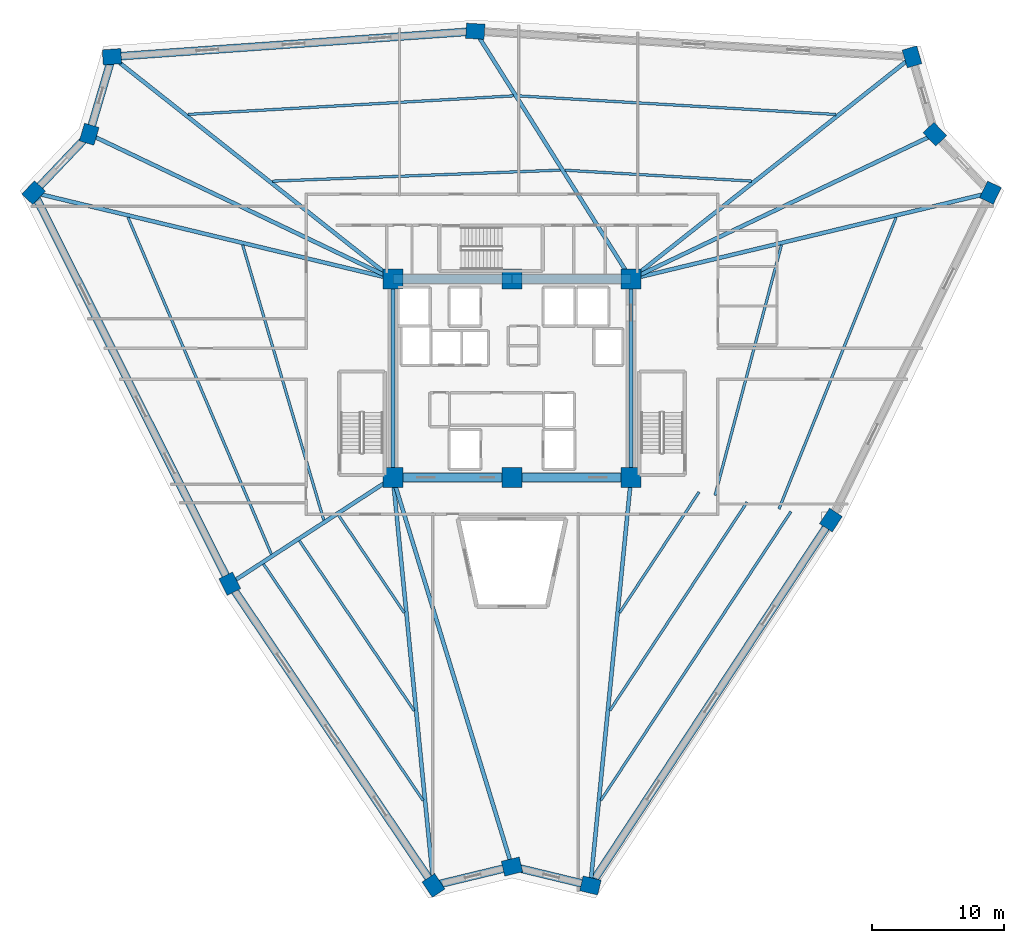
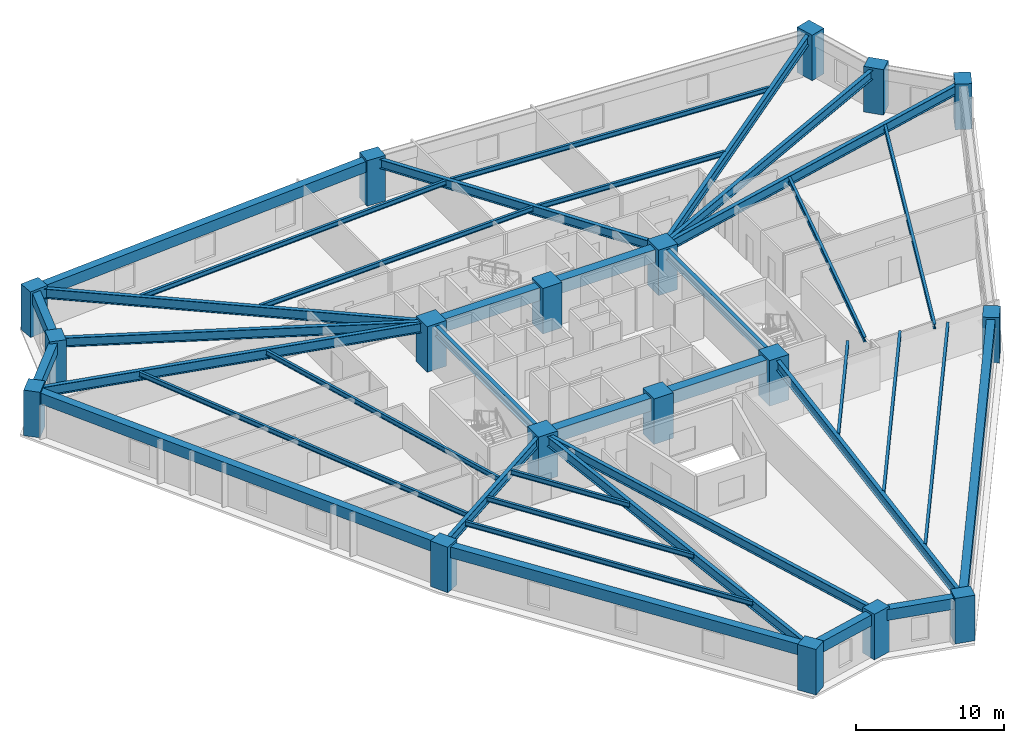
# One storey, part 1 of 10: 39 beams, 18 columns.
"""IFC4 building model written with IfcOpenShell, lengths in metres."""

from ifc_helpers import new_model, si_unit, direction, frame, origin, origin_2d, place, context, subcontext, project, spatial, rectangle, i_section, extrude, source, transform, mapped, material, material_profile, profile_set, type_object, element, save


model = new_model("IFC4")

# Units and contexts
model_context = context("Model", 3, precision=1e-05, world=origin(), true_north=direction((0.0, 1.0)))
body_context = subcontext(model_context, "Body", "Model", "MODEL_VIEW")
ifc_project = project(units=[si_unit("LENGTHUNIT", "METRE"), si_unit("AREAUNIT", "SQUARE_METRE"), si_unit("VOLUMEUNIT", "CUBIC_METRE"), si_unit("PLANEANGLEUNIT", "RADIAN"), si_unit("MASSUNIT", "GRAM", prefix="KILO")], contexts=[model_context])

# Site, building, storey
site_placement = place(None, origin())
site = spatial("IfcSite", under=ifc_project, at=site_placement, CompositionType="ELEMENT")
building_placement = place(site_placement, origin())
building = spatial("IfcBuilding", under=site, at=building_placement, Name="Liaohun Quay Tower", CompositionType="ELEMENT")
storey_placement = place(building_placement, frame((0.0, 0.0, 124.5)))
storey = spatial("IfcBuildingStorey", under=building, at=storey_placement, Name="L32", CompositionType="ELEMENT", Elevation=124.5)

# Columns
ifc_material_1 = material(Name="Concrete C60", Category="concrete")
ifc_material_profile_1 = material_profile(ifc_material_1, rectangle(XDim=1.5, YDim=1.5, at=origin_2d()), Name="RC1500x1500")
ifc_profile_set_1 = profile_set([ifc_material_profile_1], Name="Concrete C60")
column_type_1 = type_object("IfcColumnType", Name="COL-CC-Z2", PredefinedType="COLUMN", material=ifc_profile_set_1)
shared_shape_1 = source(origin(), body_context, "Body", "SweptSolid", [
    extrude(rectangle(XDim=1.5, YDim=1.5, at=origin_2d()), origin(), (0.0, 0.0, 1.0), 3.75),
])
for number, where, z_axis, x_axis, name in (
    (1, (51.0, 46.5, 0.0), (0.0, 0.0, 1.0), (1.0, 0.0, 0.0), "L32 Core Column CC1"),
    (2, (60.0, 46.5, 0.0), (0.0, 0.0, 1.0), (1.0, 0.0, 0.0), "L32 Core Column CC2"),
    (3, (69.0, 46.5, 0.0), (0.0, 0.0, 1.0), (1.0, 0.0, 0.0), "L32 Core Column CC3"),
    (4, (69.0, 61.5, 0.0), (0.0, 0.0, 1.0), (1.0, 0.0, 0.0), "L32 Core Column CC4"),
    (5, (60.0, 61.5, 0.0), (0.0, 0.0, 1.0), (1.0, 0.0, 0.0), "L32 Core Column CC5"),
    (6, (51.0, 61.5, 0.0), (0.0, 0.0, 1.0), (1.0, 0.0, 0.0), "L32 Core Column CC6"),
):
    element("IfcColumn", number, at=place(storey_placement, frame(where, z_axis=z_axis, x_axis=x_axis)), inside=storey, type_object=column_type_1, Name=name, PredefinedType="COLUMN", context=body_context, shape_type="MappedRepresentation", body=[
        mapped(shared_shape_1, transform((0.0, 0.0, 0.0), x_axis=(1.0, 0.0, 0.0), y_axis=(0.0, 1.0, 0.0), z_axis=(0.0, 0.0, 1.0), scale=1.0)),
    ])
ifc_material_profile_2 = material_profile(ifc_material_1, rectangle(XDim=1.39990234375, YDim=1.14990234375, at=origin_2d()), Name="RC1400x1150")
ifc_profile_set_2 = profile_set([ifc_material_profile_2], Name="Concrete C60")
column_type_2 = type_object("IfcColumnType", Name="COL-PIER-Z2", PredefinedType="COLUMN", material=ifc_profile_set_2)
shared_shape_2 = source(origin(), body_context, "Body", "SweptSolid", [
    extrude(rectangle(XDim=1.39990234375, YDim=1.14990234375, at=origin_2d()), origin(), (0.0, 0.0, 1.0), 3.75),
])
for number, where, z_axis, x_axis, name in (
    (7, (54.069091796875, 15.675048828125, 0.0), (0.0, 0.0, 1.0), (-0.559482258102, 0.828842326905, 0.0), "L32 Perimeter Pier PC01"),
    (8, (38.674072265625, 38.485107421875, 0.0), (0.0, 0.0, 1.0), (-0.448539214018, 0.893763152903, 0.0), "L32 Perimeter Pier PC02"),
    (9, (23.84912109375, 68.031982421875, 0.0), (0.0, 0.0, 1.0), (0.68936671806, 0.724412539946, 0.0), "L32 Perimeter Pier PC03"),
    (10, (28.050048828125, 72.447021484375, 0.0), (0.0, 0.0, 1.0), (0.282508884416, 0.959264682049, 0.0), "L32 Perimeter Pier PC04"),
    (11, (29.77490234375, 78.299072265625, 0.0), (0.0, 0.0, 1.0), (0.997539639882, 0.070104685031, 0.0), "L32 Perimeter Pier PC05"),
    (12, (57.22607421875, 80.22607421875, 0.0), (0.0, 0.0, 1.0), (-0.99829120239, 0.058435222518, 0.0), "L32 Perimeter Pier PC06"),
    (13, (90.22802734375, 78.2919921875, 0.0), (0.0, 0.0, 1.0), (-0.282508884416, 0.959264682049, 0.0), "L32 Perimeter Pier PC07"),
    (14, (91.949951171875, 72.447021484375, 0.0), (0.0, 0.0, 1.0), (-0.68936671806, 0.724412539946, 0.0), "L32 Perimeter Pier PC08"),
    (15, (96.156005859375, 68.027099609375, 0.0), (0.0, 0.0, 1.0), (0.438214270959, 0.898870542808, 0.0), "L32 Perimeter Pier PC09"),
    (16, (84.09912109375, 43.2900390625, 0.0), (0.0, 0.0, 1.0), (0.549751988372, 0.835327930385, 0.0), "L32 Perimeter Pier PC10"),
    (17, (65.924072265625, 15.677001953125, 0.0), (0.0, 0.0, 1.0), (-0.972043021443, 0.234802820391, 0.0), "L32 Perimeter Pier PC11"),
    (18, (60.0, 17.10693359375, 0.0), (0.0, 0.0, 1.0), (0.972043021443, 0.234802820391, 0.0), "L32 Perimeter Pier PC12"),
):
    element("IfcColumn", number, at=place(storey_placement, frame(where, z_axis=z_axis, x_axis=x_axis)), inside=storey, type_object=column_type_2, Name=name, PredefinedType="COLUMN", context=body_context, shape_type="MappedRepresentation", body=[
        mapped(shared_shape_2, transform((0.0, 0.0, 0.0), x_axis=(1.0, 0.0, 0.0), y_axis=(0.0, 1.0, 0.0), z_axis=(0.0, 0.0, 1.0), scale=1.0)),
    ])

# Beams
ifc_material_profile_3 = material_profile(ifc_material_1, rectangle(XDim=0.699951171875, YDim=1.050048828125, at=origin_2d()), Name="RC700x1050")
ifc_profile_set_3 = profile_set([ifc_material_profile_3], Name="Concrete C60")
beam_type_1 = type_object("IfcBeamType", Name="BM-CPL-1", PredefinedType="LINTEL", material=ifc_profile_set_3)
shared_shape_3 = source(origin(), body_context, "Body", "SweptSolid", [
    extrude(rectangle(XDim=0.699951171875, YDim=1.050048828125, at=origin_2d()), origin(), (0.0, 0.0, 1.0), 9.0),
])
for number, where, z_axis, x_axis, name in (
    (19, (51.0, 46.5, 3.044921875), (1.0, 0.0, 0.0), (0.0, 1.0, 0.0), "L32 Core Coupling/Ring Beam CC1-CC2"),
    (20, (60.0, 46.5, 3.044921875), (1.0, 0.0, 0.0), (0.0, 1.0, 0.0), "L32 Core Coupling/Ring Beam CC2-CC3"),
    (21, (69.0, 61.5, 3.044921875), (-1.0, 0.0, 0.0), (0.0, -1.0, 0.0), "L32 Core Coupling/Ring Beam CC4-CC5"),
    (22, (60.0, 61.5, 3.044921875), (-1.0, 0.0, 0.0), (0.0, -1.0, 0.0), "L32 Core Coupling/Ring Beam CC5-CC6"),
):
    element("IfcBeam", number, at=place(storey_placement, frame(where, z_axis=z_axis, x_axis=x_axis)), inside=storey, type_object=beam_type_1, Name=name, PredefinedType="LINTEL", context=body_context, shape_type="MappedRepresentation", body=[
        mapped(shared_shape_3, transform((0.0, 0.0, 0.0), x_axis=(1.0, 0.0, 0.0), y_axis=(0.0, 1.0, 0.0), z_axis=(0.0, 0.0, 1.0), scale=1.0)),
    ])
ifc_material_2 = material(Name="Steel Q355D", Category="steel")
ifc_material_profile_4 = material_profile(ifc_material_2, i_section(OverallWidth=0.300048828125, OverallDepth=0.800048828125, WebThickness=0.013916015625, FlangeThickness=0.02587890625, at=origin_2d()), Name="HN800x300x14x26")
ifc_profile_set_4 = profile_set([ifc_material_profile_4], Name="Steel Q355D")
beam_type_2 = type_object("IfcBeamType", Name="BM-RAD-M1", PredefinedType="BEAM", material=ifc_profile_set_4)
shared_shape_4 = source(origin(), body_context, "Body", "SweptSolid", [
    extrude(i_section(OverallWidth=0.300048828125, OverallDepth=0.800048828125, WebThickness=0.013916015625, FlangeThickness=0.02587890625, at=origin_2d()), origin(), (0.0, 0.0, 1.0), 15.0),
])
for number, where, z_axis, x_axis, name in (
    (23, (69.0, 46.5, 3.169921875), (0.0, 1.0, 0.0), (-1.0, 0.0, 0.0), "L32 Core Coupling/Ring Beam CC3-CC4"),
    (24, (51.0, 61.5, 3.169921875), (0.0, -1.0, 0.0), (1.0, 0.0, 0.0), "L32 Core Coupling/Ring Beam CC6-CC1"),
):
    element("IfcBeam", number, at=place(storey_placement, frame(where, z_axis=z_axis, x_axis=x_axis)), inside=storey, type_object=beam_type_2, Name=name, PredefinedType="BEAM", context=body_context, shape_type="MappedRepresentation", body=[
        mapped(shared_shape_4, transform((0.0, 0.0, 0.0), x_axis=(1.0, 0.0, 0.0), y_axis=(0.0, 1.0, 0.0), z_axis=(0.0, 0.0, 1.0), scale=1.0)),
    ])
shared_shape_5 = source(origin(), body_context, "Body", "SweptSolid", [
    extrude(i_section(OverallWidth=0.300048828125, OverallDepth=0.800048828125, WebThickness=0.013916015625, FlangeThickness=0.02587890625, at=origin_2d()), origin(), (0.0, 0.0, 1.0), 30.977294921875),
])
beam_1_placement = place(storey_placement, frame((51.0, 46.5, 3.169921875), z_axis=(0.099075312627, -0.995079937707, 0.0), x_axis=(0.995079937707, 0.099075312627, 0.0)))
element("IfcBeam", 25, at=beam_1_placement, inside=storey, type_object=beam_type_2, Name="L32 Radial Primary Girder CC1-PC01", PredefinedType="BEAM", context=body_context, shape_type="MappedRepresentation", body=[
    mapped(shared_shape_5, transform((0.0, 0.0, 0.0), x_axis=(1.0, 0.0, 0.0), y_axis=(0.0, 1.0, 0.0), z_axis=(0.0, 0.0, 1.0), scale=1.0)),
])
ifc_material_profile_5 = material_profile(ifc_material_2, i_section(OverallWidth=0.300048828125, OverallDepth=0.75, WebThickness=0.013916015625, FlangeThickness=0.02587890625, at=origin_2d()), Name="HN750x300x14x26")
ifc_profile_set_5 = profile_set([ifc_material_profile_5], Name="Steel Q355D")
beam_type_3 = type_object("IfcBeamType", Name="BM-RAD-M2", PredefinedType="BEAM", material=ifc_profile_set_5)
shared_shape_6 = source(origin(), body_context, "Body", "SweptSolid", [
    extrude(i_section(OverallWidth=0.300048828125, OverallDepth=0.75, WebThickness=0.013916015625, FlangeThickness=0.02587890625, at=origin_2d()), origin(), (0.0, 0.0, 1.0), 14.70263671875),
])
beam_2_placement = place(storey_placement, frame((51.0, 46.5, 3.195068359375), z_axis=(-0.838349137648, -0.545133674804, 0.0), x_axis=(0.545133674804, -0.838349137648, 0.0)))
element("IfcBeam", 26, at=beam_2_placement, inside=storey, type_object=beam_type_3, Name="L32 Radial Primary Girder CC1-PC02", PredefinedType="BEAM", context=body_context, shape_type="MappedRepresentation", body=[
    mapped(shared_shape_6, transform((0.0, 0.0, 0.0), x_axis=(1.0, 0.0, 0.0), y_axis=(0.0, 1.0, 0.0), z_axis=(0.0, 0.0, 1.0), scale=1.0)),
])
shared_shape_7 = source(origin(), body_context, "Body", "SweptSolid", [
    extrude(i_section(OverallWidth=0.300048828125, OverallDepth=0.800048828125, WebThickness=0.013916015625, FlangeThickness=0.02587890625, at=origin_2d()), origin(), (0.0, 0.0, 1.0), 27.925537109375),
])
beam_3_placement = place(storey_placement, frame((51.0, 61.5, 3.169921875), z_axis=(-0.972258993003, 0.233906927055, 0.0), x_axis=(-0.233906927055, -0.972258993003, 0.0)))
element("IfcBeam", 27, at=beam_3_placement, inside=storey, type_object=beam_type_2, Name="L32 Radial Primary Girder CC6-PC03", PredefinedType="BEAM", context=body_context, shape_type="MappedRepresentation", body=[
    mapped(shared_shape_7, transform((0.0, 0.0, 0.0), x_axis=(1.0, 0.0, 0.0), y_axis=(0.0, 1.0, 0.0), z_axis=(0.0, 0.0, 1.0), scale=1.0)),
])
shared_shape_8 = source(origin(), body_context, "Body", "SweptSolid", [
    extrude(i_section(OverallWidth=0.300048828125, OverallDepth=0.75, WebThickness=0.013916015625, FlangeThickness=0.02587890625, at=origin_2d()), origin(), (0.0, 0.0, 1.0), 25.427001953125),
])
for number, where, z_axis, x_axis, name in (
    (28, (51.0, 61.5, 3.195068359375), (-0.902578311145, 0.430525716131, 0.0), (-0.430525716131, -0.902578311145, 0.0), "L32 Radial Primary Girder CC6-PC04"),
    (29, (69.0, 61.5, 3.195068359375), (0.902578311145, 0.430525716131, 0.0), (-0.430525716131, 0.902578311145, 0.0), "L32 Radial Primary Girder CC4-PC08"),
):
    element("IfcBeam", number, at=place(storey_placement, frame(where, z_axis=z_axis, x_axis=x_axis)), inside=storey, type_object=beam_type_3, Name=name, PredefinedType="BEAM", context=body_context, shape_type="MappedRepresentation", body=[
        mapped(shared_shape_8, transform((0.0, 0.0, 0.0), x_axis=(1.0, 0.0, 0.0), y_axis=(0.0, 1.0, 0.0), z_axis=(0.0, 0.0, 1.0), scale=1.0)),
    ])
shared_shape_9 = source(origin(), body_context, "Body", "SweptSolid", [
    extrude(i_section(OverallWidth=0.300048828125, OverallDepth=0.800048828125, WebThickness=0.013916015625, FlangeThickness=0.02587890625, at=origin_2d()), origin(), (0.0, 0.0, 1.0), 27.068603515625),
])
beam_4_placement = place(storey_placement, frame((51.0, 61.5, 3.169921875), z_axis=(-0.784120071675, 0.620609146885, 0.0), x_axis=(-0.620609146885, -0.784120071675, 0.0)))
element("IfcBeam", 30, at=beam_4_placement, inside=storey, type_object=beam_type_2, Name="L32 Radial Primary Girder CC6-PC05", PredefinedType="BEAM", context=body_context, shape_type="MappedRepresentation", body=[
    mapped(shared_shape_9, transform((0.0, 0.0, 0.0), x_axis=(1.0, 0.0, 0.0), y_axis=(0.0, 1.0, 0.0), z_axis=(0.0, 0.0, 1.0), scale=1.0)),
])
shared_shape_10 = source(origin(), body_context, "Body", "SweptSolid", [
    extrude(i_section(OverallWidth=0.300048828125, OverallDepth=0.75, WebThickness=0.013916015625, FlangeThickness=0.02587890625, at=origin_2d()), origin(), (0.0, 0.0, 1.0), 22.119873046875),
])
beam_5_placement = place(storey_placement, frame((69.0, 61.5, 3.195068359375), z_axis=(-0.532276875022, 0.846570332765, 0.0), x_axis=(-0.846570332765, -0.532276875022, 0.0)))
element("IfcBeam", 31, at=beam_5_placement, inside=storey, type_object=beam_type_3, Name="L32 Radial Primary Girder CC4-PC06", PredefinedType="BEAM", context=body_context, shape_type="MappedRepresentation", body=[
    mapped(shared_shape_10, transform((0.0, 0.0, 0.0), x_axis=(1.0, 0.0, 0.0), y_axis=(0.0, 1.0, 0.0), z_axis=(0.0, 0.0, 1.0), scale=1.0)),
])
shared_shape_11 = source(origin(), body_context, "Body", "SweptSolid", [
    extrude(i_section(OverallWidth=0.300048828125, OverallDepth=0.800048828125, WebThickness=0.013916015625, FlangeThickness=0.02587890625, at=origin_2d()), origin(), (0.0, 0.0, 1.0), 27.066650390625),
])
beam_6_placement = place(storey_placement, frame((69.0, 61.5, 3.169921875), z_axis=(0.784289025089, 0.620395619846, 0.0), x_axis=(-0.620395619846, 0.784289025089, 0.0)))
element("IfcBeam", 32, at=beam_6_placement, inside=storey, type_object=beam_type_2, Name="L32 Radial Primary Girder CC4-PC07", PredefinedType="BEAM", context=body_context, shape_type="MappedRepresentation", body=[
    mapped(shared_shape_11, transform((0.0, 0.0, 0.0), x_axis=(1.0, 0.0, 0.0), y_axis=(0.0, 1.0, 0.0), z_axis=(0.0, 0.0, 1.0), scale=1.0)),
])
shared_shape_12 = source(origin(), body_context, "Body", "SweptSolid", [
    extrude(i_section(OverallWidth=0.300048828125, OverallDepth=0.800048828125, WebThickness=0.013916015625, FlangeThickness=0.02587890625, at=origin_2d()), origin(), (0.0, 0.0, 1.0), 27.929443359375),
])
beam_7_placement = place(storey_placement, frame((69.0, 61.5, 3.169921875), z_axis=(0.97230877325, 0.233699913269, 0.0), x_axis=(-0.233699913269, 0.97230877325, 0.0)))
element("IfcBeam", 33, at=beam_7_placement, inside=storey, type_object=beam_type_2, Name="L32 Radial Primary Girder CC4-PC09", PredefinedType="BEAM", context=body_context, shape_type="MappedRepresentation", body=[
    mapped(shared_shape_12, transform((0.0, 0.0, 0.0), x_axis=(1.0, 0.0, 0.0), y_axis=(0.0, 1.0, 0.0), z_axis=(0.0, 0.0, 1.0), scale=1.0)),
])
shared_shape_13 = source(origin(), body_context, "Body", "SweptSolid", [
    extrude(i_section(OverallWidth=0.300048828125, OverallDepth=0.800048828125, WebThickness=0.013916015625, FlangeThickness=0.02587890625, at=origin_2d()), origin(), (0.0, 0.0, 1.0), 30.97607421875),
])
beam_8_placement = place(storey_placement, frame((69.0, 46.5, 3.169921875), z_axis=(-0.099300044387, -0.99505753662, 0.0), x_axis=(0.99505753662, -0.099300044387, 0.0)))
element("IfcBeam", 34, at=beam_8_placement, inside=storey, type_object=beam_type_2, Name="L32 Radial Primary Girder CC3-PC11", PredefinedType="BEAM", context=body_context, shape_type="MappedRepresentation", body=[
    mapped(shared_shape_13, transform((0.0, 0.0, 0.0), x_axis=(1.0, 0.0, 0.0), y_axis=(0.0, 1.0, 0.0), z_axis=(0.0, 0.0, 1.0), scale=1.0)),
])
shared_shape_14 = source(origin(), body_context, "Body", "SweptSolid", [
    extrude(i_section(OverallWidth=0.300048828125, OverallDepth=0.75, WebThickness=0.013916015625, FlangeThickness=0.02587890625, at=origin_2d()), origin(), (0.0, 0.0, 1.0), 30.739990234375),
])
beam_9_placement = place(storey_placement, frame((51.0, 46.5, 3.195068359375), z_axis=(0.292777402948, -0.956180627456, 0.0), x_axis=(0.956180627456, 0.292777402948, 0.0)))
element("IfcBeam", 35, at=beam_9_placement, inside=storey, type_object=beam_type_3, Name="L32 Radial Primary Girder CC1-PC12", PredefinedType="BEAM", context=body_context, shape_type="MappedRepresentation", body=[
    mapped(shared_shape_14, transform((0.0, 0.0, 0.0), x_axis=(1.0, 0.0, 0.0), y_axis=(0.0, 1.0, 0.0), z_axis=(0.0, 0.0, 1.0), scale=1.0)),
])
ifc_material_profile_6 = material_profile(ifc_material_2, i_section(OverallWidth=0.199951171875, OverallDepth=0.39990234375, WebThickness=0.008056640625, FlangeThickness=0.012939453125, at=origin_2d()), Name="HN400x200x8x13")
ifc_profile_set_6 = profile_set([ifc_material_profile_6], Name="Steel Q355D")
beam_type_4 = type_object("IfcBeamType", Name="BM-SEC-J2", PredefinedType="JOIST", material=ifc_profile_set_6)
shared_shape_15 = source(origin(), body_context, "Body", "SweptSolid", [
    extrude(i_section(OverallWidth=0.199951171875, OverallDepth=0.39990234375, WebThickness=0.008056640625, FlangeThickness=0.012939453125, at=origin_2d()), origin(), (0.0, 0.0, 1.0), 8.891357421875),
])
beam_10_placement = place(storey_placement, frame((51.866943359375, 36.281005859375, 3.3701171875), z_axis=(-0.559412018003, 0.8288897358, 0.0), x_axis=(-0.8288897358, -0.559412018003, 0.0)))
element("IfcBeam", 36, at=beam_10_placement, inside=storey, type_object=beam_type_4, Name="L32 Wing Secondary Floor Joist SJ-01", PredefinedType="JOIST", context=body_context, shape_type="MappedRepresentation", body=[
    mapped(shared_shape_15, transform((0.0, 0.0, 0.0), x_axis=(1.0, 0.0, 0.0), y_axis=(0.0, 1.0, 0.0), z_axis=(0.0, 0.0, 1.0), scale=1.0)),
])
shared_shape_16 = source(origin(), body_context, "Body", "SweptSolid", [
    extrude(i_section(OverallWidth=0.199951171875, OverallDepth=0.39990234375, WebThickness=0.008056640625, FlangeThickness=0.012939453125, at=origin_2d()), origin(), (0.0, 0.0, 1.0), 15.4951171875),
])
beam_11_placement = place(storey_placement, frame((52.60302734375, 28.883056640625, 3.3701171875), z_axis=(-0.559396271933, 0.828900362497, 0.0), x_axis=(-0.828900362497, -0.559396271933, 0.0)))
element("IfcBeam", 37, at=beam_11_placement, inside=storey, type_object=beam_type_4, Name="L32 Wing Secondary Floor Joist SJ-02", PredefinedType="JOIST", context=body_context, shape_type="MappedRepresentation", body=[
    mapped(shared_shape_16, transform((0.0, 0.0, 0.0), x_axis=(1.0, 0.0, 0.0), y_axis=(0.0, 1.0, 0.0), z_axis=(0.0, 0.0, 1.0), scale=1.0)),
])
shared_shape_17 = source(origin(), body_context, "Body", "SweptSolid", [
    extrude(i_section(OverallWidth=0.199951171875, OverallDepth=0.39990234375, WebThickness=0.008056640625, FlangeThickness=0.012939453125, at=origin_2d()), origin(), (0.0, 0.0, 1.0), 21.549560546875),
])
beam_12_placement = place(storey_placement, frame((53.278076171875, 22.10205078125, 3.3701171875), z_axis=(-0.559418177385, 0.828885578841, 0.0), x_axis=(-0.828885578841, -0.559418177385, 0.0)))
element("IfcBeam", 38, at=beam_12_placement, inside=storey, type_object=beam_type_4, Name="L32 Wing Secondary Floor Joist SJ-03", PredefinedType="JOIST", context=body_context, shape_type="MappedRepresentation", body=[
    mapped(shared_shape_17, transform((0.0, 0.0, 0.0), x_axis=(1.0, 0.0, 0.0), y_axis=(0.0, 1.0, 0.0), z_axis=(0.0, 0.0, 1.0), scale=1.0)),
])
shared_shape_18 = source(origin(), body_context, "Body", "SweptSolid", [
    extrude(i_section(OverallWidth=0.199951171875, OverallDepth=0.39990234375, WebThickness=0.008056640625, FlangeThickness=0.012939453125, at=origin_2d()), origin(), (0.0, 0.0, 1.0), 21.6787109375),
])
beam_13_placement = place(storey_placement, frame((45.779052734375, 43.283935546875, 3.3701171875), z_axis=(-0.282908264634, 0.95914697195, 0.0), x_axis=(-0.95914697195, -0.282908264634, 0.0)))
element("IfcBeam", 39, at=beam_13_placement, inside=storey, type_object=beam_type_4, Name="L32 Wing Secondary Floor Joist SJ-04", PredefinedType="JOIST", context=body_context, shape_type="MappedRepresentation", body=[
    mapped(shared_shape_18, transform((0.0, 0.0, 0.0), x_axis=(1.0, 0.0, 0.0), y_axis=(0.0, 1.0, 0.0), z_axis=(0.0, 0.0, 1.0), scale=1.0)),
])
shared_shape_19 = source(origin(), body_context, "Body", "SweptSolid", [
    extrude(i_section(OverallWidth=0.199951171875, OverallDepth=0.39990234375, WebThickness=0.008056640625, FlangeThickness=0.012939453125, at=origin_2d()), origin(), (0.0, 0.0, 1.0), 27.66455078125),
])
beam_14_placement = place(storey_placement, frame((41.819091796875, 40.708984375, 3.3701171875), z_axis=(-0.39176993437, 0.920063214417, 0.0), x_axis=(-0.920063214417, -0.39176993437, 0.0)))
element("IfcBeam", 40, at=beam_14_placement, inside=storey, type_object=beam_type_4, Name="L32 Wing Secondary Floor Joist SJ-05", PredefinedType="JOIST", context=body_context, shape_type="MappedRepresentation", body=[
    mapped(shared_shape_19, transform((0.0, 0.0, 0.0), x_axis=(1.0, 0.0, 0.0), y_axis=(0.0, 1.0, 0.0), z_axis=(0.0, 0.0, 1.0), scale=1.0)),
])
shared_shape_20 = source(origin(), body_context, "Body", "SweptSolid", [
    extrude(i_section(OverallWidth=0.199951171875, OverallDepth=0.39990234375, WebThickness=0.008056640625, FlangeThickness=0.012939453125, at=origin_2d()), origin(), (0.0, 0.0, 1.0), 21.769775390625),
])
beam_15_placement = place(storey_placement, frame((41.89208984375, 68.89990234375, 3.3701171875), z_axis=(0.999267653916, 0.038264289315, 0.0), x_axis=(-0.038264289315, 0.999267653916, 0.0)))
element("IfcBeam", 41, at=beam_15_placement, inside=storey, type_object=beam_type_4, Name="L32 Wing Secondary Floor Joist SJ-06", PredefinedType="JOIST", context=body_context, shape_type="MappedRepresentation", body=[
    mapped(shared_shape_20, transform((0.0, 0.0, 0.0), x_axis=(1.0, 0.0, 0.0), y_axis=(0.0, 1.0, 0.0), z_axis=(0.0, 0.0, 1.0), scale=1.0)),
])
shared_shape_21 = source(origin(), body_context, "Body", "SweptSolid", [
    extrude(i_section(OverallWidth=0.199951171875, OverallDepth=0.39990234375, WebThickness=0.008056640625, FlangeThickness=0.012939453125, at=origin_2d()), origin(), (0.0, 0.0, 1.0), 24.636962890625),
])
beam_16_placement = place(storey_placement, frame((35.51904296875, 73.944091796875, 3.3701171875), z_axis=(0.998377585387, 0.05694029326, 0.0), x_axis=(-0.05694029326, 0.998377585387, 0.0)))
element("IfcBeam", 42, at=beam_16_placement, inside=storey, type_object=beam_type_4, Name="L32 Wing Secondary Floor Joist SJ-07", PredefinedType="JOIST", context=body_context, shape_type="MappedRepresentation", body=[
    mapped(shared_shape_21, transform((0.0, 0.0, 0.0), x_axis=(1.0, 0.0, 0.0), y_axis=(0.0, 1.0, 0.0), z_axis=(0.0, 0.0, 1.0), scale=1.0)),
])
shared_shape_22 = source(origin(), body_context, "Body", "SweptSolid", [
    extrude(i_section(OverallWidth=0.199951171875, OverallDepth=0.39990234375, WebThickness=0.008056640625, FlangeThickness=0.012939453125, at=origin_2d()), origin(), (0.0, 0.0, 1.0), 14.13623046875),
])
beam_17_placement = place(storey_placement, frame((64.0029296875, 69.72900390625, 3.3701171875), z_axis=(0.998287687401, -0.058495240684, 0.0), x_axis=(0.058495240684, 0.998287687401, 0.0)))
element("IfcBeam", 43, at=beam_17_placement, inside=storey, type_object=beam_type_4, Name="L32 Wing Secondary Floor Joist SJ-08", PredefinedType="JOIST", context=body_context, shape_type="MappedRepresentation", body=[
    mapped(shared_shape_22, transform((0.0, 0.0, 0.0), x_axis=(1.0, 0.0, 0.0), y_axis=(0.0, 1.0, 0.0), z_axis=(0.0, 0.0, 1.0), scale=1.0)),
])
shared_shape_23 = source(origin(), body_context, "Body", "SweptSolid", [
    extrude(i_section(OverallWidth=0.199951171875, OverallDepth=0.39990234375, WebThickness=0.008056640625, FlangeThickness=0.012939453125, at=origin_2d()), origin(), (0.0, 0.0, 1.0), 24.05419921875),
])
beam_18_placement = place(storey_placement, frame((60.470947265625, 75.345947265625, 3.3701171875), z_axis=(0.998287856274, -0.058492358609, 0.0), x_axis=(0.058492358609, 0.998287856274, 0.0)))
element("IfcBeam", 44, at=beam_18_placement, inside=storey, type_object=beam_type_4, Name="L32 Wing Secondary Floor Joist SJ-09", PredefinedType="JOIST", context=body_context, shape_type="MappedRepresentation", body=[
    mapped(shared_shape_23, transform((0.0, 0.0, 0.0), x_axis=(1.0, 0.0, 0.0), y_axis=(0.0, 1.0, 0.0), z_axis=(0.0, 0.0, 1.0), scale=1.0)),
])
shared_shape_24 = source(origin(), body_context, "Body", "SweptSolid", [
    extrude(i_section(OverallWidth=0.199951171875, OverallDepth=0.39990234375, WebThickness=0.008056640625, FlangeThickness=0.012939453125, at=origin_2d()), origin(), (0.0, 0.0, 1.0), 19.579345703125),
])
beam_19_placement = place(storey_placement, frame((80.362060546875, 64.076904296875, 3.3701171875), z_axis=(-0.256394282658, -0.966572279667, 0.0), x_axis=(0.966572279667, -0.256394282658, 0.0)))
element("IfcBeam", 45, at=beam_19_placement, inside=storey, type_object=beam_type_4, Name="L32 Wing Secondary Floor Joist SJ-10", PredefinedType="JOIST", context=body_context, shape_type="MappedRepresentation", body=[
    mapped(shared_shape_24, transform((0.0, 0.0, 0.0), x_axis=(1.0, 0.0, 0.0), y_axis=(0.0, 1.0, 0.0), z_axis=(0.0, 0.0, 1.0), scale=1.0)),
])
shared_shape_25 = source(origin(), body_context, "Body", "SweptSolid", [
    extrude(i_section(OverallWidth=0.199951171875, OverallDepth=0.39990234375, WebThickness=0.008056640625, FlangeThickness=0.012939453125, at=origin_2d()), origin(), (0.0, 0.0, 1.0), 23.746337890625),
])
beam_20_placement = place(storey_placement, frame((89.027099609375, 66.158935546875, 3.3701171875), z_axis=(-0.372857942024, -0.927888438914, 0.0), x_axis=(0.927888438914, -0.372857942024, 0.0)))
element("IfcBeam", 46, at=beam_20_placement, inside=storey, type_object=beam_type_4, Name="L32 Wing Secondary Floor Joist SJ-11", PredefinedType="JOIST", context=body_context, shape_type="MappedRepresentation", body=[
    mapped(shared_shape_25, transform((0.0, 0.0, 0.0), x_axis=(1.0, 0.0, 0.0), y_axis=(0.0, 1.0, 0.0), z_axis=(0.0, 0.0, 1.0), scale=1.0)),
])
shared_shape_26 = source(origin(), body_context, "Body", "SweptSolid", [
    extrude(i_section(OverallWidth=0.199951171875, OverallDepth=0.39990234375, WebThickness=0.008056640625, FlangeThickness=0.012939453125, at=origin_2d()), origin(), (0.0, 0.0, 1.0), 10.916748046875),
])
beam_21_placement = place(storey_placement, frame((74.134033203125, 45.408935546875, 3.3701171875), z_axis=(-0.549787767966, -0.835304381764, 0.0), x_axis=(0.835304381764, -0.549787767966, 0.0)))
element("IfcBeam", 47, at=beam_21_placement, inside=storey, type_object=beam_type_4, Name="L32 Wing Secondary Floor Joist SJ-12", PredefinedType="JOIST", context=body_context, shape_type="MappedRepresentation", body=[
    mapped(shared_shape_26, transform((0.0, 0.0, 0.0), x_axis=(1.0, 0.0, 0.0), y_axis=(0.0, 1.0, 0.0), z_axis=(0.0, 0.0, 1.0), scale=1.0)),
])
shared_shape_27 = source(origin(), body_context, "Body", "SweptSolid", [
    extrude(i_section(OverallWidth=0.199951171875, OverallDepth=0.39990234375, WebThickness=0.008056640625, FlangeThickness=0.012939453125, at=origin_2d()), origin(), (0.0, 0.0, 1.0), 18.84912109375),
])
beam_22_placement = place(storey_placement, frame((77.757080078125, 44.637939453125, 3.3701171875), z_axis=(-0.549785627393, -0.835305790661, 0.0), x_axis=(0.835305790661, -0.549785627393, 0.0)))
element("IfcBeam", 48, at=beam_22_placement, inside=storey, type_object=beam_type_4, Name="L32 Wing Secondary Floor Joist SJ-13", PredefinedType="JOIST", context=body_context, shape_type="MappedRepresentation", body=[
    mapped(shared_shape_27, transform((0.0, 0.0, 0.0), x_axis=(1.0, 0.0, 0.0), y_axis=(0.0, 1.0, 0.0), z_axis=(0.0, 0.0, 1.0), scale=1.0)),
])
shared_shape_28 = source(origin(), body_context, "Body", "SweptSolid", [
    extrude(i_section(OverallWidth=0.199951171875, OverallDepth=0.39990234375, WebThickness=0.008056640625, FlangeThickness=0.012939453125, at=origin_2d()), origin(), (0.0, 0.0, 1.0), 26.122314453125),
])
beam_23_placement = place(storey_placement, frame((81.0791015625, 43.931884765625, 3.3701171875), z_axis=(-0.549801186961, -0.835295549381, 0.0), x_axis=(0.835295549381, -0.549801186961, 0.0)))
element("IfcBeam", 49, at=beam_23_placement, inside=storey, type_object=beam_type_4, Name="L32 Wing Secondary Floor Joist SJ-14", PredefinedType="JOIST", context=body_context, shape_type="MappedRepresentation", body=[
    mapped(shared_shape_28, transform((0.0, 0.0, 0.0), x_axis=(1.0, 0.0, 0.0), y_axis=(0.0, 1.0, 0.0), z_axis=(0.0, 0.0, 1.0), scale=1.0)),
])
ifc_material_3 = material(Name="Precast concrete C55", Category="concrete")
ifc_material_profile_7 = material_profile(ifc_material_3, rectangle(XDim=0.60009765625, YDim=0.89990234375, at=origin_2d()), Name="RC600x900")
ifc_profile_set_7 = profile_set([ifc_material_profile_7], Name="Precast concrete C55")
beam_type_5 = type_object("IfcBeamType", Name="BM-SPD-Z2", PredefinedType="SPANDREL", material=ifc_profile_set_7)
shared_shape_29 = source(origin(), body_context, "Body", "SweptSolid", [
    extrude(rectangle(XDim=0.60009765625, YDim=0.89990234375, at=origin_2d()), origin(), (0.0, 0.0, 1.0), 27.519287109375),
])
beam_24_placement = place(storey_placement, frame((54.069091796875, 15.675048828125, 3.1201171875), z_axis=(-0.559428667358, 0.82887849902, 0.0), x_axis=(-0.82887849902, -0.559428667358, 0.0)))
element("IfcBeam", 50, at=beam_24_placement, inside=storey, type_object=beam_type_5, Name="L32 Precast Spandrel Beam PC01-PC02", PredefinedType="SPANDREL", context=body_context, shape_type="MappedRepresentation", body=[
    mapped(shared_shape_29, transform((0.0, 0.0, 0.0), x_axis=(1.0, 0.0, 0.0), y_axis=(0.0, 1.0, 0.0), z_axis=(0.0, 0.0, 1.0), scale=1.0)),
])
shared_shape_30 = source(origin(), body_context, "Body", "SweptSolid", [
    extrude(rectangle(XDim=0.60009765625, YDim=0.89990234375, at=origin_2d()), origin(), (0.0, 0.0, 1.0), 33.057373046875),
])
beam_25_placement = place(storey_placement, frame((38.674072265625, 38.485107421875, 3.1201171875), z_axis=(-0.448459805959, 0.893802999793, 0.0), x_axis=(-0.893802999793, -0.448459805959, 0.0)))
element("IfcBeam", 51, at=beam_25_placement, inside=storey, type_object=beam_type_5, Name="L32 Precast Spandrel Beam PC02-PC03", PredefinedType="SPANDREL", context=body_context, shape_type="MappedRepresentation", body=[
    mapped(shared_shape_30, transform((0.0, 0.0, 0.0), x_axis=(1.0, 0.0, 0.0), y_axis=(0.0, 1.0, 0.0), z_axis=(0.0, 0.0, 1.0), scale=1.0)),
])
shared_shape_31 = source(origin(), body_context, "Body", "SweptSolid", [
    extrude(rectangle(XDim=0.60009765625, YDim=0.89990234375, at=origin_2d()), origin(), (0.0, 0.0, 1.0), 6.09423828125),
])
for number, where, z_axis, x_axis, name in (
    (52, (23.84912109375, 68.031982421875, 3.1201171875), (0.689321991872, 0.724455099728, 0.0), (-0.724455099728, 0.689321991872, 0.0), "L32 Precast Spandrel Beam PC03-PC04"),
    (53, (65.924072265625, 15.677001953125, 3.1201171875), (-0.972082838745, 0.234637922379, 0.0), (-0.234637922379, -0.972082838745, 0.0), "L32 Precast Spandrel Beam PC11-PC12"),
):
    element("IfcBeam", number, at=place(storey_placement, frame(where, z_axis=z_axis, x_axis=x_axis)), inside=storey, type_object=beam_type_5, Name=name, PredefinedType="SPANDREL", context=body_context, shape_type="MappedRepresentation", body=[
        mapped(shared_shape_31, transform((0.0, 0.0, 0.0), x_axis=(1.0, 0.0, 0.0), y_axis=(0.0, 1.0, 0.0), z_axis=(0.0, 0.0, 1.0), scale=1.0)),
    ])
shared_shape_32 = source(origin(), body_context, "Body", "SweptSolid", [
    extrude(rectangle(XDim=0.60009765625, YDim=0.89990234375, at=origin_2d()), origin(), (0.0, 0.0, 1.0), 6.10107421875),
])
beam_26_placement = place(storey_placement, frame((28.050048828125, 72.447021484375, 3.1201171875), z_axis=(0.282718738533, 0.959202853875, 0.0), x_axis=(-0.959202853875, 0.282718738533, 0.0)))
element("IfcBeam", 54, at=beam_26_placement, inside=storey, type_object=beam_type_5, Name="L32 Precast Spandrel Beam PC04-PC05", PredefinedType="SPANDREL", context=body_context, shape_type="MappedRepresentation", body=[
    mapped(shared_shape_32, transform((0.0, 0.0, 0.0), x_axis=(1.0, 0.0, 0.0), y_axis=(0.0, 1.0, 0.0), z_axis=(0.0, 0.0, 1.0), scale=1.0)),
])
shared_shape_33 = source(origin(), body_context, "Body", "SweptSolid", [
    extrude(rectangle(XDim=0.60009765625, YDim=0.89990234375, at=origin_2d()), origin(), (0.0, 0.0, 1.0), 27.518798828125),
])
beam_27_placement = place(storey_placement, frame((29.77490234375, 78.299072265625, 3.1201171875), z_axis=(0.997545228336, 0.070025119951, 0.0), x_axis=(-0.070025119951, 0.997545228336, 0.0)))
element("IfcBeam", 55, at=beam_27_placement, inside=storey, type_object=beam_type_5, Name="L32 Precast Spandrel Beam PC05-PC06", PredefinedType="SPANDREL", context=body_context, shape_type="MappedRepresentation", body=[
    mapped(shared_shape_33, transform((0.0, 0.0, 0.0), x_axis=(1.0, 0.0, 0.0), y_axis=(0.0, 1.0, 0.0), z_axis=(0.0, 0.0, 1.0), scale=1.0)),
])
shared_shape_34 = source(origin(), body_context, "Body", "SweptSolid", [
    extrude(rectangle(XDim=0.60009765625, YDim=0.89990234375, at=origin_2d()), origin(), (0.0, 0.0, 1.0), 6.101318359375),
])
beam_28_placement = place(storey_placement, frame((60.0, 17.10693359375, 3.1201171875), z_axis=(-0.972071507064, -0.234684863497, 0.0), x_axis=(0.234684863497, -0.972071507064, 0.0)))
element("IfcBeam", 56, at=beam_28_placement, inside=storey, type_object=beam_type_5, Name="L32 Precast Spandrel Beam PC12-PC01", PredefinedType="SPANDREL", context=body_context, shape_type="MappedRepresentation", body=[
    mapped(shared_shape_34, transform((0.0, 0.0, 0.0), x_axis=(1.0, 0.0, 0.0), y_axis=(0.0, 1.0, 0.0), z_axis=(0.0, 0.0, 1.0), scale=1.0)),
])
shared_shape_35 = source(origin(), body_context, "Body", "SweptSolid", [
    extrude(rectangle(XDim=0.60009765625, YDim=0.89990234375, at=origin_2d()), origin(), (0.0, 0.0, 1.0), 33.0576171875),
])
beam_29_placement = place(storey_placement, frame((84.09912109375, 43.2900390625, 3.1201171875), z_axis=(-0.549797569052, -0.83529793072, 0.0), x_axis=(0.83529793072, -0.549797569052, 0.0)))
element("IfcBeam", 57, at=beam_29_placement, inside=storey, type_object=beam_type_5, Name="L32 Precast Spandrel Beam PC10-PC11", PredefinedType="SPANDREL", context=body_context, shape_type="MappedRepresentation", body=[
    mapped(shared_shape_35, transform((0.0, 0.0, 0.0), x_axis=(1.0, 0.0, 0.0), y_axis=(0.0, 1.0, 0.0), z_axis=(0.0, 0.0, 1.0), scale=1.0)),
])

save(model, "model.ifc")
